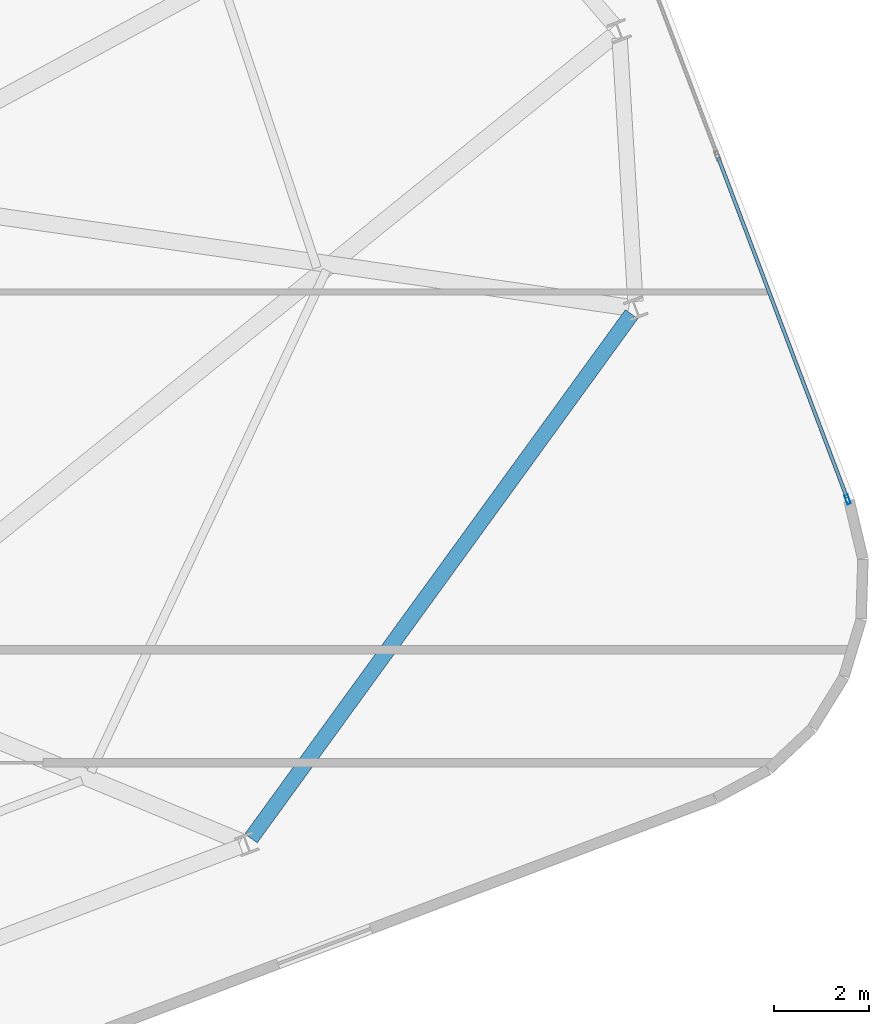
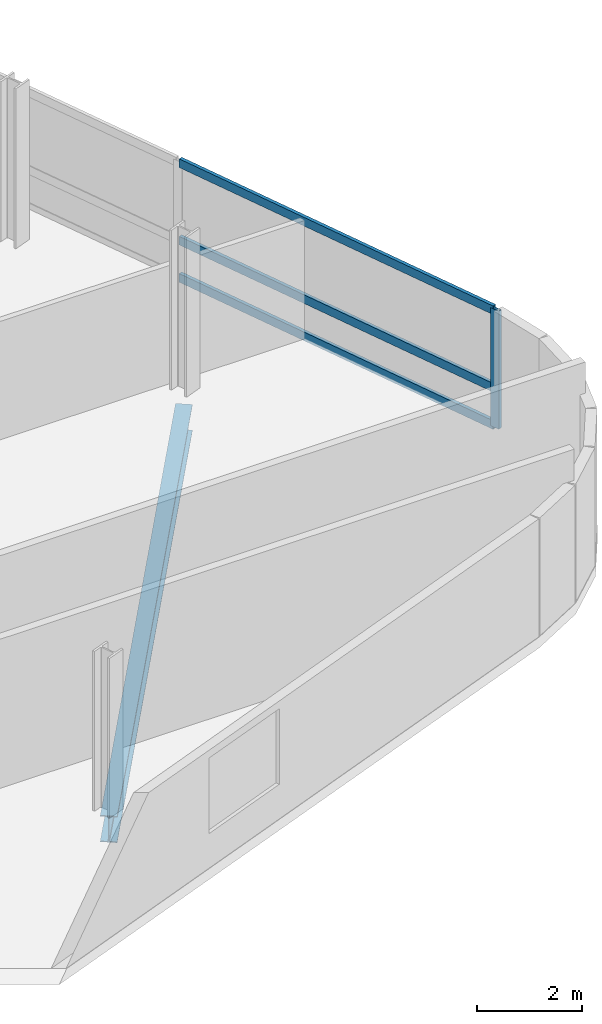
# One storey, part 11 of 20: 4 members, 1 beam, 1 element without a shape of its own.
"""IFC4 building model written with IfcOpenShell, lengths in metres."""

from ifc_helpers import new_model, si_unit, direction, frame, origin, origin_2d, place, context, subcontext, project, spatial, hollow_rectangle, i_section, extrude, material, layer, layer_set, material_profile, profile_set, type_object, element, aggregate, save


model = new_model("IFC4")

# Units and contexts
model_context = context("Model", 3, precision=1e-05, world=origin(), true_north=direction((0.0, 1.0)))
body_context = subcontext(model_context, "Body", "Model", "MODEL_VIEW")
ifc_project = project(units=[si_unit("LENGTHUNIT", "METRE"), si_unit("AREAUNIT", "SQUARE_METRE"), si_unit("VOLUMEUNIT", "CUBIC_METRE"), si_unit("PLANEANGLEUNIT", "RADIAN"), si_unit("MASSUNIT", "GRAM", prefix="KILO")], contexts=[model_context])

# Site, building, storey
site_placement = place(None, origin())
site = spatial("IfcSite", under=ifc_project, at=site_placement, CompositionType="ELEMENT")
building_placement = place(site_placement, origin())
building = spatial("IfcBuilding", under=site, at=building_placement, Name="Varnelok Gate Tower", CompositionType="ELEMENT")
storey_placement = place(building_placement, frame((0.0, 0.0, 234.89990234375)))
storey = spatial("IfcBuildingStorey", under=building, at=storey_placement, Name="L60", CompositionType="ELEMENT", Elevation=234.89990234375)

# Beam
ifc_material_1 = material(Name="Structural Steel ASTM A992 Grade 50", Category="steel")
ifc_material_profile_1 = material_profile(ifc_material_1, i_section(OverallWidth=0.323974609375, OverallDepth=0.611083984375, WebThickness=0.0126953125, FlangeThickness=0.01904296875, FilletRadius=0.01806640625, at=origin_2d()), Name="W24X104")
ifc_profile_set_1 = profile_set([ifc_material_profile_1], Name="Structural Steel ASTM A992 Grade 50")
beam_type = type_object("IfcBeamType", Name="BM-SPN-W24X104", PredefinedType="SPANDREL", material=ifc_profile_set_1)
beam_placement = place(storey_placement, frame((62.92041015625, 15.249755859375, -0.555419921875), z_axis=(0.58754084914, 0.809194507267, 0.0), x_axis=(-0.809194507267, 0.58754084914, 0.0)))
element("IfcBeam", 1, at=beam_placement, inside=storey, type_object=beam_type, Name="L60 Perimeter Spandrel Beam 5", PredefinedType="SPANDREL", context=body_context, shape_type="SweptSolid", body=[
    extrude(i_section(OverallWidth=0.323974609375, OverallDepth=0.611083984375, WebThickness=0.0126953125, FlangeThickness=0.01904296875, FilletRadius=0.01806640625, at=origin_2d()), origin(), (0.0, 0.0, 1.0), 13.695556640625),
])

# Curtain wall, members
ifc_material_2 = material(Name="Anodized Aluminum Alloy 6063-T6", Category="aluminium")
ifc_layer = layer(ifc_material_2, 0.179931640625)
ifc_layer_set = layer_set([ifc_layer], Name="Anodized Aluminum Alloy 6063-T6")
curtain_wall_type = type_object("IfcCurtainWallType", Name="CW4-RESIDENCE-VISION", PredefinedType="USERDEFINED", material=ifc_layer_set)
curtain_wall_placement = place(storey_placement, origin())
curtain_wall = element("IfcCurtainWall", 2, at=curtain_wall_placement, inside=storey, type_object=curtain_wall_type, Name="L60 East End Vision Curtain Wall", ObjectType="UNITISED CURTAIN WALL", PredefinedType="USERDEFINED")
ifc_material_profile_2 = material_profile(ifc_material_2, hollow_rectangle(XDim=0.074951171875, YDim=0.199951171875, WallThickness=0.00390625, at=origin_2d()), Name="ALU200X75X4")
ifc_profile_set_2 = profile_set([ifc_material_profile_2], Name="Anodized Aluminum Alloy 6063-T6")
member_type_1 = type_object("IfcMemberType", Name="CW-MULL-200", PredefinedType="MULLION", material=ifc_profile_set_2)
member_1_placement = place(storey_placement, frame((75.534912109375, 22.41552734375, 0.0), z_axis=(0.0, 0.0, 1.0), x_axis=(0.935221557832, 0.354063042079, 0.0)))
member_1 = element("IfcMember", 3, at=member_1_placement, type_object=member_type_1, Name="CW4 mullion 5", PredefinedType="MULLION", context=body_context, shape_type="SweptSolid", body=[
    extrude(hollow_rectangle(XDim=0.074951171875, YDim=0.199951171875, WallThickness=0.00390625, at=origin_2d()), origin(), (0.0, 0.0, 1.0), 2.72998046875),
])
ifc_material_profile_3 = material_profile(ifc_material_2, hollow_rectangle(XDim=0.074951171875, YDim=0.199951171875, WallThickness=0.00390625, at=origin_2d()), Name="ALU200X75X4")
ifc_profile_set_3 = profile_set([ifc_material_profile_3], Name="Anodized Aluminum Alloy 6063-T6")
member_type_2 = type_object("IfcMemberType", Name="CW-TRAN-200", PredefinedType="USERDEFINED", material=ifc_profile_set_3)
member_2_placement = place(storey_placement, frame((72.7998046875, 29.64013671875, 0.03759765625), z_axis=(0.354062525952, -0.935221753231, 0.0), x_axis=(0.935221753231, 0.354062525952, 0.0)))
member_2 = element("IfcMember", 4, at=member_2_placement, type_object=member_type_2, Name="CW4 transom 4.1", ObjectType="TRANSOM", PredefinedType="USERDEFINED", context=body_context, shape_type="SweptSolid", body=[
    extrude(hollow_rectangle(XDim=0.074951171875, YDim=0.199951171875, WallThickness=0.00390625, at=origin_2d()), origin(), (0.0, 0.0, 1.0), 7.687744140625),
])
member_3_placement = place(storey_placement, frame((72.7998046875, 29.64013671875, 0.900146484375), z_axis=(0.354062525952, -0.935221753231, 0.0), x_axis=(0.935221753231, 0.354062525952, 0.0)))
member_3 = element("IfcMember", 5, at=member_3_placement, type_object=member_type_2, Name="CW4 transom 4.2", ObjectType="TRANSOM", PredefinedType="USERDEFINED", context=body_context, shape_type="SweptSolid", body=[
    extrude(hollow_rectangle(XDim=0.074951171875, YDim=0.199951171875, WallThickness=0.00390625, at=origin_2d()), origin(), (0.0, 0.0, 1.0), 7.687744140625),
])
member_4_placement = place(storey_placement, frame((72.7998046875, 29.64013671875, 2.692626953125), z_axis=(0.354062525952, -0.935221753231, 0.0), x_axis=(0.935221753231, 0.354062525952, 0.0)))
member_4 = element("IfcMember", 6, at=member_4_placement, type_object=member_type_2, Name="CW4 transom 4.3", ObjectType="TRANSOM", PredefinedType="USERDEFINED", context=body_context, shape_type="SweptSolid", body=[
    extrude(hollow_rectangle(XDim=0.074951171875, YDim=0.199951171875, WallThickness=0.00390625, at=origin_2d()), origin(), (0.0, 0.0, 1.0), 7.687744140625),
])
aggregate(curtain_wall, [member_1, member_2, member_3, member_4])

save(model, "model.ifc")
